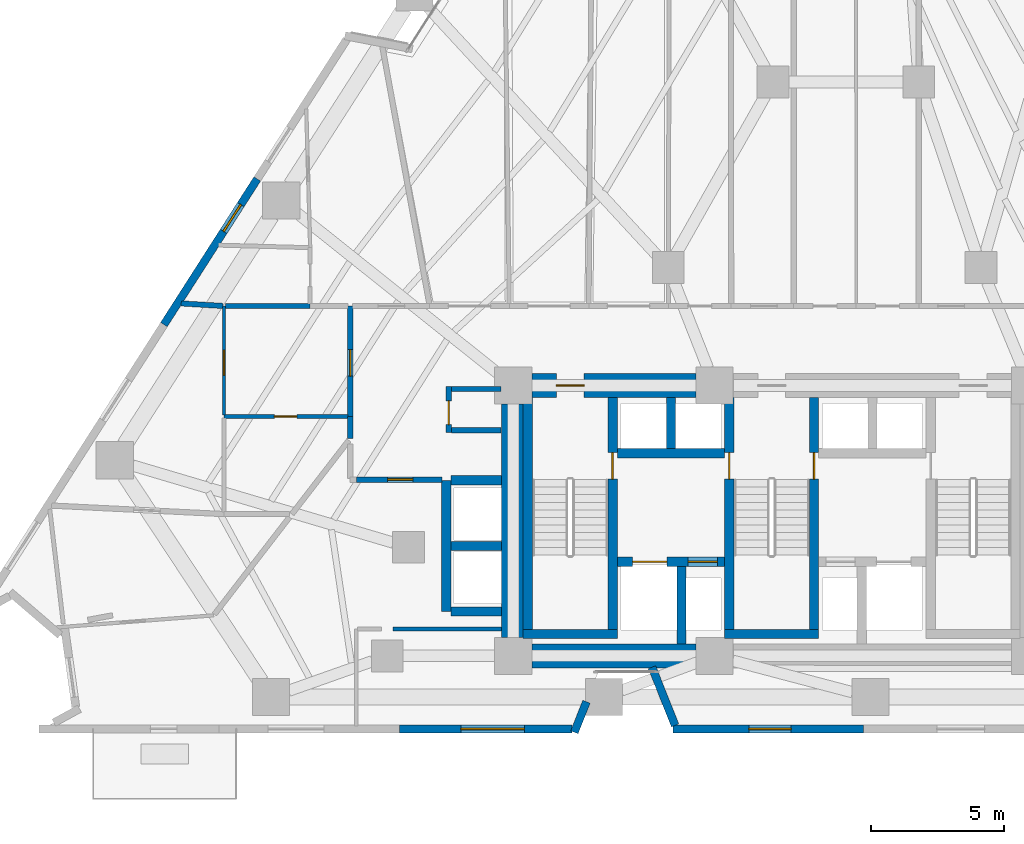
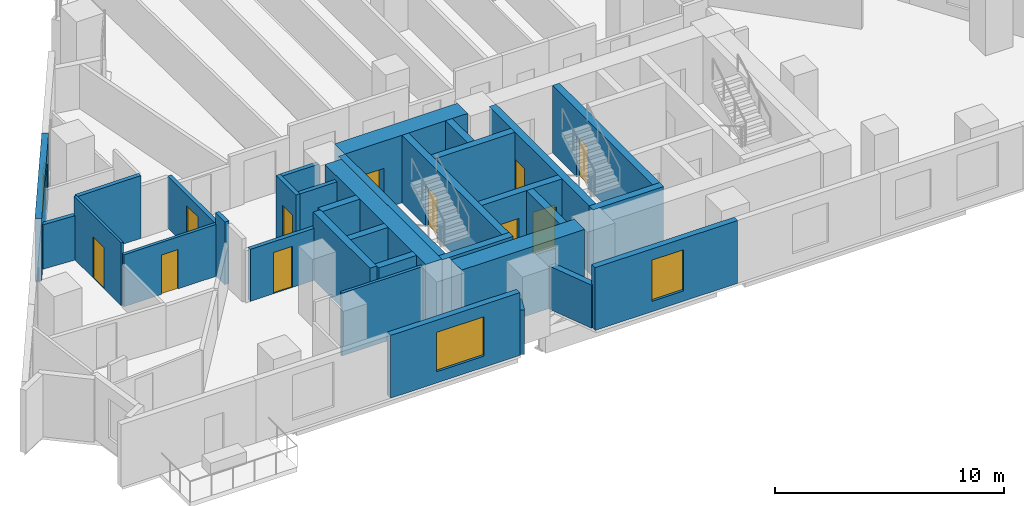
# One storey, part 8 of 15: 33 walls, 11 doors, 3 windows, 14 openings.
"""IFC4 building model written with IfcOpenShell, lengths in metres."""

from ifc_helpers import new_model, si_unit, direction, frame, frame_2d, origin, place, context, subcontext, project, spatial, rectangle, extrude, material, layer, layer_set, type_object, element, fill, save


model = new_model("IFC4")

# Units and contexts
model_context = context("Model", 3, precision=1e-05, world=origin(), true_north=direction((0.0, 1.0)))
body_context = subcontext(model_context, "Body", "Model", "MODEL_VIEW")
ifc_project = project(units=[si_unit("LENGTHUNIT", "METRE"), si_unit("AREAUNIT", "SQUARE_METRE"), si_unit("VOLUMEUNIT", "CUBIC_METRE"), si_unit("PLANEANGLEUNIT", "RADIAN"), si_unit("MASSUNIT", "GRAM", prefix="KILO")], contexts=[model_context])

# Site, building, storey
site_placement = place(None, origin())
site = spatial("IfcSite", under=ifc_project, at=site_placement, CompositionType="ELEMENT")
building_placement = place(site_placement, origin())
building = spatial("IfcBuilding", under=site, at=building_placement, Name="Almagre Mirador Tower", CompositionType="ELEMENT")
storey_placement = place(building_placement, frame((0.0, 0.0, 39.0)))
storey = spatial("IfcBuildingStorey", under=building, at=storey_placement, Name="L08", CompositionType="ELEMENT", Elevation=39.0)

# Wall, opening, window
ifc_material_1 = material(Name="Precast concrete C50/60", Category="concrete")
ifc_layer_1 = layer(ifc_material_1, 0.300048828125)
ifc_layer_set_1 = layer_set([ifc_layer_1], Name="Precast concrete C50/60")
wall_type_1 = type_object("IfcWallType", Name="WAL-EXT-300", PredefinedType="SOLIDWALL", material=ifc_layer_set_1)
wall_1_placement = place(storey_placement, frame((40.760986328125, 1.800048828125, 0.0), z_axis=(0.0, 0.0, 1.0), x_axis=(-1.0, 0.0, 0.0)))
wall_1 = element("IfcWall", 1, at=wall_1_placement, inside=storey, type_object=wall_type_1, Name="L08 expressed almagre precast frame wall 25", PredefinedType="SOLIDWALL", context=body_context, shape_type="SweptSolid", body=[
    extrude(rectangle(XDim=7.19287109375, YDim=0.300048828125, at=frame_2d((3.596435546875, 0.0))), origin(), (0.0, 0.0, 1.0), 3.35009765625),
])
opening_1_placement = place(wall_1_placement, frame((2.72509765625, 0.0, 0.550048828125)))
opening_1 = element("IfcOpeningElement", 2, at=opening_1_placement, cuts=wall_1, Name="Opening WN-06", PredefinedType="OPENING", context=body_context, shape_type="SweptSolid", body=[
    extrude(rectangle(XDim=1.60009765625, YDim=2.199951171875, at=frame_2d((0.800048828125, 1.10009765625))), frame((0.0, 0.159902, 0.0), z_axis=(0.0, -1.0, 0.0), x_axis=(1.0, 0.0, 0.0)), (0.0, 0.0, 1.0), 0.320049),
])
ifc_material_2 = material(Name="Dark solar-control laminated hurricane glass", Category="glass")
window_type_1 = type_object("IfcWindowType", Name="WIN-1600X2200", PartitioningType="DOUBLE_PANEL_VERTICAL", PredefinedType="WINDOW", material=ifc_material_2)
window_1_placement = place(opening_1_placement, origin())
window_1 = element("IfcWindow", 3, at=window_1_placement, inside=storey, type_object=window_type_1, Name="L08 recessed hurricane window L08-RST-C", OverallHeight=2.199951171875, OverallWidth=1.60009765625, PartitioningType="SINGLE_PANEL", PredefinedType="WINDOW", context=body_context, shape_type="SweptSolid", body=[
    extrude(rectangle(XDim=1.60009765625, YDim=2.199951171875, at=frame_2d((0.800048828125, 1.10009765625))), frame((0.0, 0.030029296875, 0.0), z_axis=(0.0, -1.0, 0.0), x_axis=(1.0, 0.0, 0.0)), (0.0, 0.0, 1.0), 0.06005859375),
])
fill(opening_1, window_1)

# Walls
wall_2_placement = place(storey_placement, frame((33.658203125, 1.92529296875, 0.0), z_axis=(0.0, 0.0, 1.0), x_axis=(-0.36946923074, 0.92924296475, 0.0)))
element("IfcWall", 4, at=wall_2_placement, inside=storey, type_object=wall_type_1, Name="L08 expressed almagre precast frame wall 26", PredefinedType="SOLIDWALL", context=body_context, shape_type="SweptSolid", body=[
    extrude(rectangle(XDim=2.366943359375, YDim=0.300048828125, at=frame_2d((1.18359375, 0.0))), origin(), (0.0, 0.0, 1.0), 2.300048828125),
])
wall_3_placement = place(storey_placement, frame((30.31396484375, 2.82080078125, 0.0), z_axis=(0.0, 0.0, 1.0), x_axis=(-0.369588763291, -0.929195429417, 0.0)))
element("IfcWall", 5, at=wall_3_placement, inside=storey, type_object=wall_type_1, Name="L08 expressed almagre precast frame wall 27", PredefinedType="SOLIDWALL", context=body_context, shape_type="SweptSolid", body=[
    extrude(rectangle(XDim=1.238525390625, YDim=0.300048828125, at=frame_2d((0.619140625, 0.0))), origin(), (0.0, 0.0, 1.0), 2.375),
])

# Wall, opening, window
wall_4_placement = place(storey_placement, frame((29.76806640625, 1.800048828125, 0.0), z_axis=(0.0, 0.0, 1.0), x_axis=(-1.0, 0.0, 0.0)))
wall_4 = element("IfcWall", 6, at=wall_4_placement, inside=storey, type_object=wall_type_1, Name="L08 expressed almagre precast frame wall 28", PredefinedType="SOLIDWALL", context=body_context, shape_type="SweptSolid", body=[
    extrude(rectangle(XDim=6.51611328125, YDim=0.300048828125, at=frame_2d((3.258056640625, 0.0))), origin(), (0.0, 0.0, 1.0), 3.35009765625),
])
opening_2_placement = place(wall_4_placement, frame((1.794921875, 0.0, 0.60009765625)))
opening_2 = element("IfcOpeningElement", 7, at=opening_2_placement, cuts=wall_4, Name="Opening WN-02", PredefinedType="OPENING", context=body_context, shape_type="SweptSolid", body=[
    extrude(rectangle(XDim=2.39990234375, YDim=2.10009765625, at=frame_2d((1.199951171875, 1.050048828125))), frame((0.0, 0.159902, 0.0), z_axis=(0.0, -1.0, 0.0), x_axis=(1.0, 0.0, 0.0)), (0.0, 0.0, 1.0), 0.320049),
])
ifc_material_3 = material(Name="Dark solar-control laminated hurricane glass", Category="glass")
window_type_2 = type_object("IfcWindowType", Name="WIN-2400X2100", PartitioningType="TRIPLE_PANEL_VERTICAL", PredefinedType="WINDOW", material=ifc_material_3)
window_2_placement = place(opening_2_placement, origin())
window_2 = element("IfcWindow", 8, at=window_2_placement, inside=storey, type_object=window_type_2, Name="L08 recessed hurricane window L08-UB-KT", OverallHeight=2.10009765625, OverallWidth=2.39990234375, PartitioningType="SINGLE_PANEL", PredefinedType="WINDOW", context=body_context, shape_type="SweptSolid", body=[
    extrude(rectangle(XDim=2.39990234375, YDim=2.10009765625, at=frame_2d((1.199951171875, 1.050048828125))), frame((0.0, 0.030029296875, 0.0), z_axis=(0.0, -1.0, 0.0), x_axis=(1.0, 0.0, 0.0)), (0.0, 0.0, 1.0), 0.06005859375),
])
fill(opening_2, window_2)

wall_5_placement = place(storey_placement, frame((14.3720703125, 17.049072265625, 0.0), z_axis=(0.0, 0.0, 1.0), x_axis=(0.539499522652, 0.841985905498, 0.0)))
wall_5 = element("IfcWall", 9, at=wall_5_placement, inside=storey, type_object=wall_type_1, Name="L08 expressed almagre precast frame wall 37", PredefinedType="SOLIDWALL", context=body_context, shape_type="SweptSolid", body=[
    extrude(rectangle(XDim=6.525390625, YDim=0.300048828125, at=frame_2d((3.2626953125, 0.0))), origin(), (0.0, 0.0, 1.0), 3.35009765625),
])
opening_3_placement = place(wall_5_placement, frame((4.175048828125, 0.0, 0.800048828125)))
opening_3 = element("IfcOpeningElement", 10, at=opening_3_placement, cuts=wall_5, Name="Opening WN-04", PredefinedType="OPENING", context=body_context, shape_type="SweptSolid", body=[
    extrude(rectangle(XDim=1.199951171875, YDim=1.800048828125, at=frame_2d((0.60009765625, 0.89990234375))), frame((0.0, 0.159902, 0.0), z_axis=(0.0, -1.0, 0.0), x_axis=(1.0, 0.0, 0.0)), (0.0, 0.0, 1.0), 0.320049),
])
ifc_material_4 = material(Name="Dark solar-control laminated hurricane glass", Category="glass")
window_type_3 = type_object("IfcWindowType", Name="WIN-1200X1800", PartitioningType="SINGLE_PANEL", PredefinedType="WINDOW", material=ifc_material_4)
window_3_placement = place(opening_3_placement, origin())
window_3 = element("IfcWindow", 11, at=window_3_placement, inside=storey, type_object=window_type_3, Name="L08 recessed hurricane window L08-UG-KT", OverallHeight=1.800048828125, OverallWidth=1.199951171875, PartitioningType="SINGLE_PANEL", PredefinedType="WINDOW", context=body_context, shape_type="SweptSolid", body=[
    extrude(rectangle(XDim=1.199951171875, YDim=1.800048828125, at=frame_2d((0.60009765625, 0.89990234375))), frame((0.0, 0.030029296875, 0.0), z_axis=(0.0, -1.0, 0.0), x_axis=(1.0, 0.0, 0.0)), (0.0, 0.0, 1.0), 0.06005859375),
])
fill(opening_3, window_3)

# Wall, opening, door
ifc_material_5 = material(Name="Gypsum acoustic stud partition", Category="other")
ifc_layer_2 = layer(ifc_material_5, 0.125)
ifc_layer_set_2 = layer_set([ifc_layer_2], Name="Gypsum acoustic stud partition")
wall_type_2 = type_object("IfcWallType", Name="WAL-PRT-125-UTL", PredefinedType="PARTITIONING", material=ifc_layer_set_2)
wall_6_placement = place(storey_placement, frame((16.639892578125, 17.75, 0.0), z_axis=(0.0, 0.0, 1.0), x_axis=(0.0, -1.0, 0.0)))
wall_6 = element("IfcWall", 12, at=wall_6_placement, inside=storey, type_object=wall_type_2, Name="L08 interior partition 034", PredefinedType="PARTITIONING", context=body_context, shape_type="SweptSolid", body=[
    extrude(rectangle(XDim=4.110107421875, YDim=0.125, at=frame_2d((2.05517578125, 0.0))), origin(), (0.0, 0.0, 1.0), 3.35009765625),
])
opening_4_placement = place(wall_6_placement, frame((1.668701171875, 0.0, 0.0)))
opening_4 = element("IfcOpeningElement", 13, at=opening_4_placement, cuts=wall_6, Name="Opening UD-01", PredefinedType="OPENING", context=body_context, shape_type="SweptSolid", body=[
    extrude(rectangle(XDim=0.949951171875, YDim=2.199951171875, at=frame_2d((0.47509765625, 1.10009765625))), frame((0.0, 0.0725, 0.0), z_axis=(0.0, -1.0, 0.0), x_axis=(1.0, 0.0, 0.0)), (0.0, 0.0, 1.0), 0.145),
])
ifc_material_6 = material(Name="Solid American walnut timber", Category="wood")
door_type_1 = type_object("IfcDoorType", Name="DOR-UNR-950X2200", OperationType="NOTDEFINED", PredefinedType="DOOR", material=ifc_material_6)
door_1_placement = place(opening_4_placement, origin())
door_1 = element("IfcDoor", 14, at=door_1_placement, inside=storey, type_object=door_type_1, Name="DR-0253 L08 interior door L08-UE-ST to L08-UE-KT", OperationType="SINGLE_SWING_RIGHT", OverallHeight=2.199951171875, OverallWidth=0.949951171875, PredefinedType="DOOR", context=body_context, shape_type="SweptSolid", body=[
    extrude(rectangle(XDim=0.949951171875, YDim=2.199951171875, at=frame_2d((0.47509765625, 1.10009765625))), frame((0.0, 0.02490234375, 0.0), z_axis=(0.0, -1.0, 0.0), x_axis=(1.0, 0.0, 0.0)), (0.0, 0.0, 1.0), 0.050048828125),
])
fill(opening_4, door_1)

# Wall
ifc_material_7 = material(Name="Gypsum acoustic stud partition", Category="other")
ifc_layer_3 = layer(ifc_material_7, 0.14990234375)
ifc_layer_set_3 = layer_set([ifc_layer_3], Name="Gypsum acoustic stud partition")
wall_type_3 = type_object("IfcWallType", Name="WAL-PRT-150-STD", PredefinedType="PARTITIONING", material=ifc_layer_set_3)
wall_7_placement = place(storey_placement, frame((23.02001953125, 5.570068359375, 0.0), z_axis=(0.0, 0.0, 1.0), x_axis=(1.0, 0.0, 0.0)))
element("IfcWall", 15, at=wall_7_placement, inside=storey, type_object=wall_type_3, Name="L08 interior partition 030", PredefinedType="PARTITIONING", context=body_context, shape_type="SweptSolid", body=[
    extrude(rectangle(XDim=4.080078125, YDim=0.14990234375, at=frame_2d((2.0400390625, 0.0))), origin(), (0.0, 0.0, 1.0), 3.35009765625),
])

# Wall, opening, door
wall_8_placement = place(storey_placement, frame((16.639892578125, 13.580078125, 0.0), z_axis=(0.0, 0.0, 1.0), x_axis=(1.0, 0.0, 0.0)))
wall_8 = element("IfcWall", 16, at=wall_8_placement, inside=storey, type_object=wall_type_3, Name="L08 interior partition 033", PredefinedType="PARTITIONING", context=body_context, shape_type="SweptSolid", body=[
    extrude(rectangle(XDim=4.675048828125, YDim=0.14990234375, at=frame_2d((2.33740234375, 0.0))), origin(), (0.0, 0.0, 1.0), 2.77099609375),
])
opening_5_placement = place(wall_8_placement, frame((1.896484375, 0.0, 0.0)))
opening_5 = element("IfcOpeningElement", 17, at=opening_5_placement, cuts=wall_8, Name="Opening UD-04", PredefinedType="OPENING", context=body_context, shape_type="SweptSolid", body=[
    extrude(rectangle(XDim=0.85009765625, YDim=2.10009765625, at=frame_2d((0.425048828125, 1.050048828125))), frame((0.0, 0.084951, 0.0), z_axis=(0.0, -1.0, 0.0), x_axis=(1.0, 0.0, 0.0)), (0.0, 0.0, 1.0), 0.169902),
])
ifc_material_8 = material(Name="Moisture-resistant oak timber", Category="wood")
door_type_2 = type_object("IfcDoorType", Name="DOR-UNR-850X2100", OperationType="NOTDEFINED", PredefinedType="DOOR", material=ifc_material_8)
door_2_placement = place(opening_5_placement, origin())
door_2 = element("IfcDoor", 18, at=door_2_placement, inside=storey, type_object=door_type_2, Name="DR-0254 L08 interior door L08-UE-ST to L08-UE-BT", OperationType="SINGLE_SWING_LEFT", OverallHeight=2.10009765625, OverallWidth=0.85009765625, PredefinedType="DOOR", context=body_context, shape_type="SweptSolid", body=[
    extrude(rectangle(XDim=0.85009765625, YDim=2.10009765625, at=frame_2d((0.425048828125, 1.050048828125))), frame((0.0, 0.02490234375, 0.0), z_axis=(0.0, -1.0, 0.0), x_axis=(1.0, 0.0, 0.0)), (0.0, 0.0, 1.0), 0.050048828125),
])
fill(opening_5, door_2)

ifc_material_9 = material(Name="Gypsum acoustic stud partition", Category="other")
ifc_layer_4 = layer(ifc_material_9, 0.199951171875)
ifc_layer_set_4 = layer_set([ifc_layer_4], Name="Gypsum acoustic stud partition")
wall_type_4 = type_object("IfcWallType", Name="WAL-PRT-200-EI60", PredefinedType="PARTITIONING", material=ifc_layer_set_4)
wall_9_placement = place(storey_placement, frame((25.1201171875, 12.969970703125, 0.0), z_axis=(0.0, 0.0, 1.0), x_axis=(0.0, 1.0, 0.0)))
wall_9 = element("IfcWall", 19, at=wall_9_placement, inside=storey, type_object=wall_type_4, Name="L08 core ancillary west wall", PredefinedType="PARTITIONING", context=body_context, shape_type="SweptSolid", body=[
    extrude(rectangle(XDim=1.739990234375, YDim=0.199951171875, at=frame_2d((0.8701171875, 0.0))), origin(), (0.0, 0.0, 1.0), 3.35009765625),
])
opening_6_placement = place(wall_9_placement, frame((0.304931640625, 0.0, 0.0)))
opening_6 = element("IfcOpeningElement", 20, at=opening_6_placement, cuts=wall_9, Name="Opening ID-03", PredefinedType="OPENING", context=body_context, shape_type="SweptSolid", body=[
    extrude(rectangle(XDim=0.89990234375, YDim=2.10009765625, at=frame_2d((0.449951171875, 1.050048828125))), frame((0.0, 0.110098, 0.0), z_axis=(0.0, -1.0, 0.0), x_axis=(1.0, 0.0, 0.0)), (0.0, 0.0, 1.0), 0.219951),
])
ifc_material_10 = material(Name="Fire-rated hollow steel", Category="steel")
door_type_3 = type_object("IfcDoorType", Name="DOR-FD60-900X2100", OperationType="NOTDEFINED", PredefinedType="DOOR", material=ifc_material_10)
door_3_placement = place(opening_6_placement, origin())
door_3 = element("IfcDoor", 21, at=door_3_placement, inside=storey, type_object=door_type_3, Name="DR-0239 L08 core ancillary corridor door", OperationType="SINGLE_SWING_LEFT", OverallHeight=2.10009765625, OverallWidth=0.89990234375, PredefinedType="DOOR", context=body_context, shape_type="SweptSolid", body=[
    extrude(rectangle(XDim=0.89990234375, YDim=2.10009765625, at=frame_2d((0.449951171875, 1.050048828125))), frame((0.0, 0.02490234375, 0.0), z_axis=(0.0, -1.0, 0.0), x_axis=(1.0, 0.0, 0.0)), (0.0, 0.0, 1.0), 0.050048828125),
])
fill(opening_6, door_3)

# Walls
for number, where, z_axis, x_axis, name in (
    (22, (25.22509765625, 14.6201171875, 0.0), (0.0, 0.0, 1.0), (1.0, 0.0, 0.0), "L08 core ancillary north wall"),
    (23, (25.22509765625, 13.06005859375, 0.0), (0.0, 0.0, 1.0), (1.0, 0.0, 0.0), "L08 core ancillary south wall"),
):
    element("IfcWall", number, at=place(storey_placement, frame(where, z_axis=z_axis, x_axis=x_axis)), inside=storey, type_object=wall_type_4, Name=name, PredefinedType="PARTITIONING", context=body_context, shape_type="SweptSolid", body=[
        extrude(rectangle(XDim=1.85986328125, YDim=0.199951171875, at=frame_2d((0.929931640625, 0.0))), origin(), (0.0, 0.0, 1.0), 3.35009765625),
    ])

# Wall, opening, door
wall_10_placement = place(storey_placement, frame((21.6298828125, 11.199951171875, 0.0), z_axis=(0.0, 0.0, 1.0), x_axis=(1.0, 0.0, 0.0)))
wall_10 = element("IfcWall", 24, at=wall_10_placement, inside=storey, type_object=wall_type_4, Name="L08 interior partition 003", PredefinedType="PARTITIONING", context=body_context, shape_type="SweptSolid", body=[
    extrude(rectangle(XDim=3.2392578125, YDim=0.199951171875, at=frame_2d((1.61962890625, 0.0))), origin(), (0.0, 0.0, 1.0), 2.77099609375),
])
opening_7_placement = place(wall_10_placement, frame((1.18505859375, 0.0, 0.0)))
opening_7 = element("IfcOpeningElement", 25, at=opening_7_placement, cuts=wall_10, Name="Opening UD-01", PredefinedType="OPENING", context=body_context, shape_type="SweptSolid", body=[
    extrude(rectangle(XDim=0.949951171875, YDim=2.199951171875, at=frame_2d((0.47509765625, 1.10009765625))), frame((0.0, 0.110098, 0.0), z_axis=(0.0, -1.0, 0.0), x_axis=(1.0, 0.0, 0.0)), (0.0, 0.0, 1.0), 0.219951),
])
door_4_placement = place(opening_7_placement, origin())
door_4 = element("IfcDoor", 26, at=door_4_placement, inside=storey, type_object=door_type_1, Name="DR-0262 L08 interior door L08-UA-KT to L08-RCOR", OperationType="SINGLE_SWING_RIGHT", OverallHeight=2.199951171875, OverallWidth=0.949951171875, PredefinedType="DOOR", context=body_context, shape_type="SweptSolid", body=[
    extrude(rectangle(XDim=0.949951171875, YDim=2.199951171875, at=frame_2d((0.47509765625, 1.10009765625))), frame((0.0, 0.02490234375, 0.0), z_axis=(0.0, -1.0, 0.0), x_axis=(1.0, 0.0, 0.0)), (0.0, 0.0, 1.0), 0.050048828125),
])
fill(opening_7, door_4)

wall_11_placement = place(storey_placement, frame((21.39990234375, 17.75, 0.0), z_axis=(0.0, 0.0, 1.0), x_axis=(0.0, -1.0, 0.0)))
wall_11 = element("IfcWall", 27, at=wall_11_placement, inside=storey, type_object=wall_type_4, Name="L08 interior partition 007", PredefinedType="PARTITIONING", context=body_context, shape_type="SweptSolid", body=[
    extrude(rectangle(XDim=4.169921875, YDim=0.199951171875, at=frame_2d((2.0849609375, 0.0))), origin(), (0.0, 0.0, 1.0), 2.77099609375),
])
opening_8_placement = place(wall_11_placement, frame((1.642822265625, 0.0, 0.0)))
opening_8 = element("IfcOpeningElement", 28, at=opening_8_placement, cuts=wall_11, Name="Opening ID-01", PredefinedType="OPENING", context=body_context, shape_type="SweptSolid", body=[
    extrude(rectangle(XDim=1.0, YDim=2.199951171875, at=frame_2d((0.5, 1.10009765625))), frame((0.0, 0.110098, 0.0), z_axis=(0.0, -1.0, 0.0), x_axis=(1.0, 0.0, 0.0)), (0.0, 0.0, 1.0), 0.219951),
])
ifc_material_11 = material(Name="Fire-rated walnut timber", Category="wood")
door_type_4 = type_object("IfcDoorType", Name="DOR-FD60-1000X2200", OperationType="NOTDEFINED", PredefinedType="DOOR", material=ifc_material_11)
door_5_placement = place(opening_8_placement, origin())
door_5 = element("IfcDoor", 29, at=door_5_placement, inside=storey, type_object=door_type_4, Name="DR-0252 L08 interior door L08-RCOR to L08-UE-ST", OperationType="SINGLE_SWING_LEFT", OverallHeight=2.199951171875, OverallWidth=1.0, PredefinedType="DOOR", context=body_context, shape_type="SweptSolid", body=[
    extrude(rectangle(XDim=1.0, YDim=2.199951171875, at=frame_2d((0.5, 1.10009765625))), frame((0.0, 0.02490234375, 0.0), z_axis=(0.0, -1.0, 0.0), x_axis=(1.0, 0.0, 0.0)), (0.0, 0.0, 1.0), 0.050048828125),
])
fill(opening_8, door_5)

# Walls
wall_12_placement = place(storey_placement, frame((21.39990234375, 13.580078125, 0.0), z_axis=(0.0, 0.0, 1.0), x_axis=(0.0, -1.0, 0.0)))
element("IfcWall", 30, at=wall_12_placement, inside=storey, type_object=wall_type_4, Name="L08 interior partition 008", PredefinedType="PARTITIONING", context=body_context, shape_type="SweptSolid", body=[
    extrude(rectangle(XDim=0.830078125, YDim=0.199951171875, at=frame_2d((0.4150390625, 0.0))), origin(), (0.0, 0.0, 1.0), 3.35009765625),
])
wall_13_placement = place(storey_placement, frame((19.889892578125, 17.75, 0.0), z_axis=(0.0, 0.0, 1.0), x_axis=(-1.0, 0.0, 0.0)))
element("IfcWall", 31, at=wall_13_placement, inside=storey, type_object=wall_type_4, Name="L08 interior partition 036", PredefinedType="PARTITIONING", context=body_context, shape_type="SweptSolid", body=[
    extrude(rectangle(XDim=3.202392578125, YDim=0.199951171875, at=frame_2d((1.60107421875, 0.0))), origin(), (0.0, 0.0, 1.0), 3.35009765625),
])
wall_14_placement = place(storey_placement, frame((16.592529296875, 17.752197265625, 0.0), z_axis=(0.0, 0.0, 1.0), x_axis=(-0.998181550188, 0.060279290502, 0.0)))
element("IfcWall", 32, at=wall_14_placement, inside=storey, type_object=wall_type_4, Name="L08 interior partition 038", PredefinedType="PARTITIONING", context=body_context, shape_type="SweptSolid", body=[
    extrude(rectangle(XDim=1.571533203125, YDim=0.199951171875, at=frame_2d((0.78564453125, 0.0))), origin(), (0.0, 0.0, 1.0), 2.3701171875),
])
ifc_material_12 = material(Name="Concrete C60/75", Category="concrete")
ifc_layer_5 = layer(ifc_material_12, 0.35009765625)
ifc_layer_set_5 = layer_set([ifc_layer_5], Name="Concrete C60/75")
wall_type_5 = type_object("IfcWallType", Name="WAL-SHF-350", PredefinedType="SOLIDWALL", material=ifc_layer_set_5)
wall_15_placement = place(storey_placement, frame((28.10009765625, 5.199951171875, 0.0), z_axis=(0.0, 0.0, 1.0), x_axis=(0.0, 1.0, 0.0)))
element("IfcWall", 33, at=wall_15_placement, inside=storey, type_object=wall_type_5, Name="L08 shaft wall ST1-W", PredefinedType="SOLIDWALL", context=body_context, shape_type="SweptSolid", body=[
    extrude(rectangle(XDim=9.10009765625, YDim=0.35009765625, at=frame_2d((4.550048828125, 0.0))), origin(), (0.0, 0.0, 1.0), 3.60009765625),
])

# Wall, opening, door
wall_16_placement = place(storey_placement, frame((31.300048828125, 5.199951171875, 0.0), z_axis=(0.0, 0.0, 1.0), x_axis=(0.0, 1.0, 0.0)))
wall_16 = element("IfcWall", 34, at=wall_16_placement, inside=storey, type_object=wall_type_5, Name="L08 shaft wall ST1-E", PredefinedType="SOLIDWALL", context=body_context, shape_type="SweptSolid", body=[
    extrude(rectangle(XDim=9.10009765625, YDim=0.35009765625, at=frame_2d((4.550048828125, 0.0))), origin(), (0.0, 0.0, 1.0), 3.60009765625),
])
opening_9_placement = place(wall_16_placement, frame((6.02001953125, 0.0, 0.0)))
opening_9 = element("IfcOpeningElement", 35, at=opening_9_placement, cuts=wall_16, Name="Opening FD-01", PredefinedType="OPENING", context=body_context, shape_type="SweptSolid", body=[
    extrude(rectangle(XDim=1.0, YDim=2.14990234375, at=frame_2d((0.5, 1.074951171875))), frame((0.0, 0.185049, 0.0), z_axis=(0.0, -1.0, 0.0), x_axis=(1.0, 0.0, 0.0)), (0.0, 0.0, 1.0), 0.370098),
])
ifc_material_13 = material(Name="Fire-rated hollow steel", Category="steel")
door_type_5 = type_object("IfcDoorType", Name="DOR-FFL-1000X2150", OperationType="NOTDEFINED", PredefinedType="DOOR", material=ifc_material_13)
door_6_placement = place(opening_9_placement, origin())
door_6 = element("IfcDoor", 36, at=door_6_placement, inside=storey, type_object=door_type_5, Name="DR-0240 L08 FFL1-ST1 smokeproof door", OperationType="SINGLE_SWING_LEFT", OverallHeight=2.14990234375, OverallWidth=1.0, PredefinedType="DOOR", context=body_context, shape_type="SweptSolid", body=[
    extrude(rectangle(XDim=1.0, YDim=2.14990234375, at=frame_2d((0.5, 1.074951171875))), frame((0.0, 0.02490234375, 0.0), z_axis=(0.0, -1.0, 0.0), x_axis=(1.0, 0.0, 0.0)), (0.0, 0.0, 1.0), 0.050048828125),
])
fill(opening_9, door_6)

# Wall
wall_17_placement = place(storey_placement, frame((27.925048828125, 5.375, 0.0), z_axis=(0.0, 0.0, 1.0), x_axis=(1.0, 0.0, 0.0)))
element("IfcWall", 37, at=wall_17_placement, inside=storey, type_object=wall_type_5, Name="L08 shaft wall ST1-S", PredefinedType="SOLIDWALL", context=body_context, shape_type="SweptSolid", body=[
    extrude(rectangle(XDim=3.550048828125, YDim=0.35009765625, at=frame_2d((1.77490234375, 0.0))), origin(), (0.0, 0.0, 1.0), 3.60009765625),
])

# Wall, opening, door
wall_18_placement = place(storey_placement, frame((35.699951171875, 5.199951171875, 0.0), z_axis=(0.0, 0.0, 1.0), x_axis=(0.0, 1.0, 0.0)))
wall_18 = element("IfcWall", 38, at=wall_18_placement, inside=storey, type_object=wall_type_5, Name="L08 shaft wall ST2-W", PredefinedType="SOLIDWALL", context=body_context, shape_type="SweptSolid", body=[
    extrude(rectangle(XDim=9.10009765625, YDim=0.35009765625, at=frame_2d((4.550048828125, 0.0))), origin(), (0.0, 0.0, 1.0), 3.60009765625),
])
opening_10_placement = place(wall_18_placement, frame((6.02001953125, 0.0, 0.0)))
opening_10 = element("IfcOpeningElement", 39, at=opening_10_placement, cuts=wall_18, Name="Opening FD-01", PredefinedType="OPENING", context=body_context, shape_type="SweptSolid", body=[
    extrude(rectangle(XDim=1.0, YDim=2.14990234375, at=frame_2d((0.5, 1.074951171875))), frame((0.0, 0.185049, 0.0), z_axis=(0.0, -1.0, 0.0), x_axis=(1.0, 0.0, 0.0)), (0.0, 0.0, 1.0), 0.370098),
])
door_7_placement = place(opening_10_placement, origin())
door_7 = element("IfcDoor", 40, at=door_7_placement, inside=storey, type_object=door_type_5, Name="DR-0241 L08 FFL1-ST2 smokeproof door", OperationType="SINGLE_SWING_RIGHT", OverallHeight=2.14990234375, OverallWidth=1.0, PredefinedType="DOOR", context=body_context, shape_type="SweptSolid", body=[
    extrude(rectangle(XDim=1.0, YDim=2.14990234375, at=frame_2d((0.5, 1.074951171875))), frame((0.0, 0.02490234375, 0.0), z_axis=(0.0, -1.0, 0.0), x_axis=(1.0, 0.0, 0.0)), (0.0, 0.0, 1.0), 0.050048828125),
])
fill(opening_10, door_7)

wall_19_placement = place(storey_placement, frame((38.89990234375, 5.199951171875, 0.0), z_axis=(0.0, 0.0, 1.0), x_axis=(0.0, 1.0, 0.0)))
wall_19 = element("IfcWall", 41, at=wall_19_placement, inside=storey, type_object=wall_type_5, Name="L08 shaft wall ST2-E", PredefinedType="SOLIDWALL", context=body_context, shape_type="SweptSolid", body=[
    extrude(rectangle(XDim=9.10009765625, YDim=0.35009765625, at=frame_2d((4.550048828125, 0.0))), origin(), (0.0, 0.0, 1.0), 3.60009765625),
])
opening_11_placement = place(wall_19_placement, frame((6.02001953125, 0.0, 0.0)))
opening_11 = element("IfcOpeningElement", 42, at=opening_11_placement, cuts=wall_19, Name="Opening FD-01", PredefinedType="OPENING", context=body_context, shape_type="SweptSolid", body=[
    extrude(rectangle(XDim=1.0, YDim=2.14990234375, at=frame_2d((0.5, 1.074951171875))), frame((0.0, 0.185049, 0.0), z_axis=(0.0, -1.0, 0.0), x_axis=(1.0, 0.0, 0.0)), (0.0, 0.0, 1.0), 0.370098),
])
door_8_placement = place(opening_11_placement, origin())
door_8 = element("IfcDoor", 43, at=door_8_placement, inside=storey, type_object=door_type_5, Name="DR-0242 L08 FFL2-ST2 smokeproof door", OperationType="SINGLE_SWING_LEFT", OverallHeight=2.14990234375, OverallWidth=1.0, PredefinedType="DOOR", context=body_context, shape_type="SweptSolid", body=[
    extrude(rectangle(XDim=1.0, YDim=2.14990234375, at=frame_2d((0.5, 1.074951171875))), frame((0.0, 0.02490234375, 0.0), z_axis=(0.0, -1.0, 0.0), x_axis=(1.0, 0.0, 0.0)), (0.0, 0.0, 1.0), 0.050048828125),
])
fill(opening_11, door_8)

# Wall
wall_20_placement = place(storey_placement, frame((35.52490234375, 5.375, 0.0), z_axis=(0.0, 0.0, 1.0), x_axis=(1.0, 0.0, 0.0)))
element("IfcWall", 44, at=wall_20_placement, inside=storey, type_object=wall_type_5, Name="L08 shaft wall ST2-S", PredefinedType="SOLIDWALL", context=body_context, shape_type="SweptSolid", body=[
    extrude(rectangle(XDim=3.550048828125, YDim=0.35009765625, at=frame_2d((1.77490234375, 0.0))), origin(), (0.0, 0.0, 1.0), 3.60009765625),
])

# Wall, openings, doors
wall_21_placement = place(storey_placement, frame((31.47509765625, 8.10009765625, 0.0), z_axis=(0.0, 0.0, 1.0), x_axis=(1.0, 0.0, 0.0)))
wall_21 = element("IfcWall", 45, at=wall_21_placement, inside=storey, type_object=wall_type_5, Name="L08 shaft wall FSAE1-N", PredefinedType="SOLIDWALL", context=body_context, shape_type="SweptSolid", body=[
    extrude(rectangle(XDim=4.0498046875, YDim=0.35009765625, at=frame_2d((2.02490234375, 0.0))), origin(), (0.0, 0.0, 1.0), 3.60009765625),
])
opening_12_placement = place(wall_21_placement, frame((0.574951171875, 0.0, 0.0)))
opening_12 = element("IfcOpeningElement", 46, at=opening_12_placement, cuts=wall_21, Name="Opening LD-03", PredefinedType="OPENING", context=body_context, shape_type="SweptSolid", body=[
    extrude(rectangle(XDim=1.300048828125, YDim=2.25, at=frame_2d((0.64990234375, 1.125))), frame((0.0, 0.185049, 0.0), z_axis=(0.0, -1.0, 0.0), x_axis=(1.0, 0.0, 0.0)), (0.0, 0.0, 1.0), 0.370098),
])
opening_13_placement = place(wall_21_placement, frame((2.675048828125, 0.0, 0.0)))
opening_13 = element("IfcOpeningElement", 47, at=opening_13_placement, cuts=wall_21, Name="Opening LD-01", PredefinedType="OPENING", context=body_context, shape_type="SweptSolid", body=[
    extrude(rectangle(XDim=1.10009765625, YDim=2.199951171875, at=frame_2d((0.550048828125, 1.10009765625))), frame((0.0, 0.185049, 0.0), z_axis=(0.0, -1.0, 0.0), x_axis=(1.0, 0.0, 0.0)), (0.0, 0.0, 1.0), 0.370098),
])
ifc_material_14 = material(Name="Hollow stainless steel", Category="steel")
door_type_6 = type_object("IfcDoorType", Name="DOR-LD-1100X2200", OperationType="DOUBLE_DOOR_SLIDING", PredefinedType="DOOR", material=ifc_material_14)
door_9_placement = place(opening_13_placement, origin())
door_9 = element("IfcDoor", 48, at=door_9_placement, inside=storey, type_object=door_type_6, Name="DR-0265 L08 PL-L1 lift landing door", OperationType="DOUBLE_DOOR_SLIDING", OverallHeight=2.199951171875, OverallWidth=1.10009765625, PredefinedType="DOOR", context=body_context, shape_type="SweptSolid", body=[
    extrude(rectangle(XDim=1.10009765625, YDim=2.199951171875, at=frame_2d((0.550048828125, 1.10009765625))), frame((0.0, 0.02490234375, 0.0), z_axis=(0.0, -1.0, 0.0), x_axis=(1.0, 0.0, 0.0)), (0.0, 0.0, 1.0), 0.050048828125),
])
fill(opening_13, door_9)
ifc_material_15 = material(Name="Hollow stainless steel", Category="steel")
door_type_7 = type_object("IfcDoorType", Name="DOR-LD-1300X2250", OperationType="DOUBLE_DOOR_SLIDING", PredefinedType="DOOR", material=ifc_material_15)
door_10_placement = place(opening_12_placement, origin())
door_10 = element("IfcDoor", 49, at=door_10_placement, inside=storey, type_object=door_type_7, Name="DR-0263 L08 FSAE-1 lift landing door", OperationType="DOUBLE_DOOR_SLIDING", OverallHeight=2.25, OverallWidth=1.300048828125, PredefinedType="DOOR", context=body_context, shape_type="SweptSolid", body=[
    extrude(rectangle(XDim=1.300048828125, YDim=2.25, at=frame_2d((0.64990234375, 1.125))), frame((0.0, 0.02490234375, 0.0), z_axis=(0.0, -1.0, 0.0), x_axis=(1.0, 0.0, 0.0)), (0.0, 0.0, 1.0), 0.050048828125),
])
fill(opening_12, door_10)

# Walls
wall_22_placement = place(storey_placement, frame((33.89990234375, 5.0, 0.0), z_axis=(0.0, 0.0, 1.0), x_axis=(0.0, 1.0, 0.0)))
element("IfcWall", 50, at=wall_22_placement, inside=storey, type_object=wall_type_5, Name="L08 shaft wall FSAE1-E", PredefinedType="SOLIDWALL", context=body_context, shape_type="SweptSolid", body=[
    extrude(rectangle(XDim=2.925048828125, YDim=0.35009765625, at=frame_2d((1.46240234375, 0.0))), origin(), (0.0, 0.0, 1.0), 3.60009765625),
])
wall_23_placement = place(storey_placement, frame((31.47509765625, 12.199951171875, 0.0), z_axis=(0.0, 0.0, 1.0), x_axis=(1.0, 0.0, 0.0)))
element("IfcWall", 51, at=wall_23_placement, inside=storey, type_object=wall_type_5, Name="L08 shaft wall PLM-S", PredefinedType="SOLIDWALL", context=body_context, shape_type="SweptSolid", body=[
    extrude(rectangle(XDim=4.0498046875, YDim=0.35009765625, at=frame_2d((2.02490234375, 0.0))), origin(), (0.0, 0.0, 1.0), 3.60009765625),
])
wall_24_placement = place(storey_placement, frame((33.5, 12.375, 0.0), z_axis=(0.0, 0.0, 1.0), x_axis=(0.0, 1.0, 0.0)))
element("IfcWall", 52, at=wall_24_placement, inside=storey, type_object=wall_type_5, Name="L08 shaft wall PLM-M", PredefinedType="SOLIDWALL", context=body_context, shape_type="SweptSolid", body=[
    extrude(rectangle(XDim=1.925048828125, YDim=0.35009765625, at=frame_2d((0.96240234375, 0.0))), origin(), (0.0, 0.0, 1.0), 3.60009765625),
])
wall_25_placement = place(storey_placement, frame((25.02490234375, 6.22509765625, 0.0), z_axis=(0.0, 0.0, 1.0), x_axis=(0.0, 1.0, 0.0)))
element("IfcWall", 53, at=wall_25_placement, inside=storey, type_object=wall_type_5, Name="L08 shaft wall OL-W", PredefinedType="SOLIDWALL", context=body_context, shape_type="SweptSolid", body=[
    extrude(rectangle(XDim=4.949951171875, YDim=0.35009765625, at=frame_2d((2.47509765625, 0.0))), origin(), (0.0, 0.0, 1.0), 3.60009765625),
])
for number, where, z_axis, x_axis, name in (
    (54, (25.199951171875, 6.22509765625, 0.0), (0.0, 0.0, 1.0), (1.0, 0.0, 0.0), "L08 shaft wall OL-S"),
    (55, (25.199951171875, 8.699951171875, 0.0), (0.0, 0.0, 1.0), (1.0, 0.0, 0.0), "L08 shaft wall OL-M"),
    (56, (25.199951171875, 11.175048828125, 0.0), (0.0, 0.0, 1.0), (1.0, 0.0, 0.0), "L08 shaft wall OL-N"),
):
    element("IfcWall", number, at=place(storey_placement, frame(where, z_axis=z_axis, x_axis=x_axis)), inside=storey, type_object=wall_type_5, Name=name, PredefinedType="SOLIDWALL", context=body_context, shape_type="SweptSolid", body=[
        extrude(rectangle(XDim=1.900146484375, YDim=0.35009765625, at=frame_2d((0.9501953125, 0.0))), origin(), (0.0, 0.0, 1.0), 3.60009765625),
    ])
ifc_material_16 = material(Name="Concrete C70/85", Category="concrete")
ifc_layer_6 = layer(ifc_material_16, 0.89990234375)
ifc_layer_set_6 = layer_set([ifc_layer_6], Name="Concrete C70/85")
wall_type_6 = type_object("IfcWallType", Name="WAL-SHR-900", PredefinedType="SHEAR", material=ifc_layer_set_6)
wall_26_placement = place(storey_placement, frame((28.25, 4.550048828125, 0.0), z_axis=(0.0, 0.0, 1.0), x_axis=(1.0, 0.0, 0.0)))
element("IfcWall", 57, at=wall_26_placement, inside=storey, type_object=wall_type_6, Name="L08 core shear wall S1", PredefinedType="SHEAR", context=body_context, shape_type="SweptSolid", body=[
    extrude(rectangle(XDim=6.199951171875, YDim=0.89990234375, at=frame_2d((3.10009765625, 0.0))), origin(), (0.0, 0.0, 1.0), 3.60009765625),
])

# Wall, opening, door
wall_27_placement = place(storey_placement, frame((28.25, 14.75, 0.0), z_axis=(0.0, 0.0, 1.0), x_axis=(1.0, 0.0, 0.0)))
wall_27 = element("IfcWall", 58, at=wall_27_placement, inside=storey, type_object=wall_type_6, Name="L08 core shear wall N1", PredefinedType="SHEAR", context=body_context, shape_type="SweptSolid", body=[
    extrude(rectangle(XDim=6.199951171875, YDim=0.89990234375, at=frame_2d((3.10009765625, 0.0))), origin(), (0.0, 0.0, 1.0), 3.60009765625),
])
opening_14_placement = place(wall_27_placement, frame((0.925048828125, 0.0, 0.0)))
opening_14 = element("IfcOpeningElement", 59, at=opening_14_placement, cuts=wall_27, Name="Opening SD-01", PredefinedType="OPENING", context=body_context, shape_type="SweptSolid", body=[
    extrude(rectangle(XDim=1.050048828125, YDim=2.14990234375, at=frame_2d((0.52490234375, 1.074951171875))), frame((0.0, 0.459951, 0.0), z_axis=(0.0, -1.0, 0.0), x_axis=(1.0, 0.0, 0.0)), (0.0, 0.0, 1.0), 0.919902),
])
ifc_material_17 = material(Name="Fire-rated hollow steel", Category="steel")
door_type_8 = type_object("IfcDoorType", Name="DOR-ST-1050X2150", OperationType="NOTDEFINED", PredefinedType="DOOR", material=ifc_material_17)
door_11_placement = place(opening_14_placement, origin())
door_11 = element("IfcDoor", 60, at=door_11_placement, inside=storey, type_object=door_type_8, Name="DR-0267 L08 protected exit stair ST-1 door", OperationType="SINGLE_SWING_RIGHT", OverallHeight=2.14990234375, OverallWidth=1.050048828125, PredefinedType="DOOR", context=body_context, shape_type="SweptSolid", body=[
    extrude(rectangle(XDim=1.050048828125, YDim=2.14990234375, at=frame_2d((0.52490234375, 1.074951171875))), frame((0.0, 0.02490234375, 0.0), z_axis=(0.0, -1.0, 0.0), x_axis=(1.0, 0.0, 0.0)), (0.0, 0.0, 1.0), 0.050048828125),
])
fill(opening_14, door_11)

# Wall
wall_28_placement = place(storey_placement, frame((27.550048828125, 5.25, 0.0), z_axis=(0.0, 0.0, 1.0), x_axis=(0.0, 1.0, 0.0)))
element("IfcWall", 61, at=wall_28_placement, inside=storey, type_object=wall_type_6, Name="L08 core shear wall W1", PredefinedType="SHEAR", context=body_context, shape_type="SweptSolid", body=[
    extrude(rectangle(XDim=8.800048828125, YDim=0.89990234375, at=frame_2d((4.39990234375, 0.0))), origin(), (0.0, 0.0, 1.0), 3.60009765625),
])

save(model, "model.ifc")
